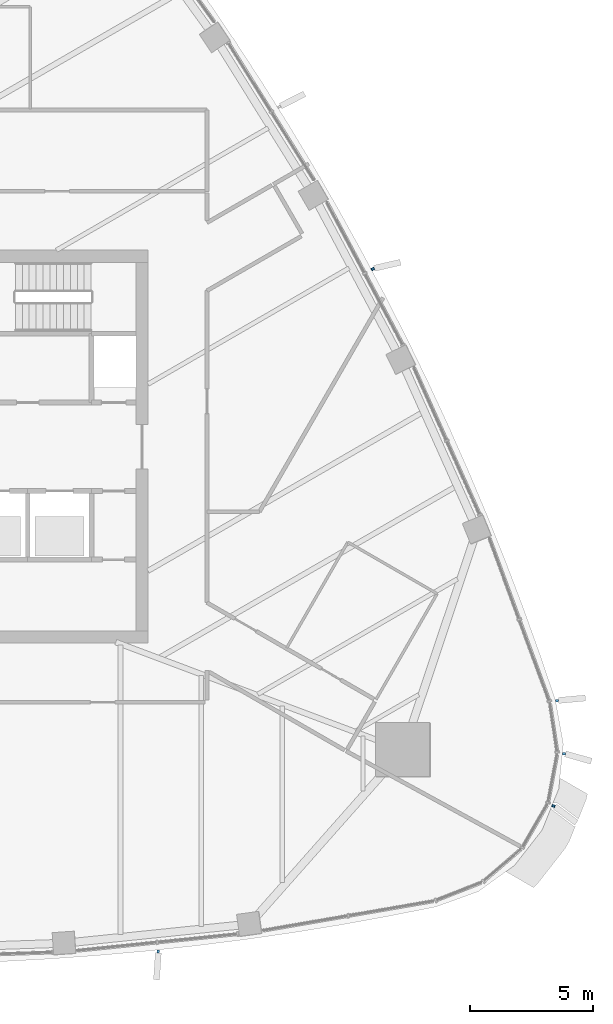
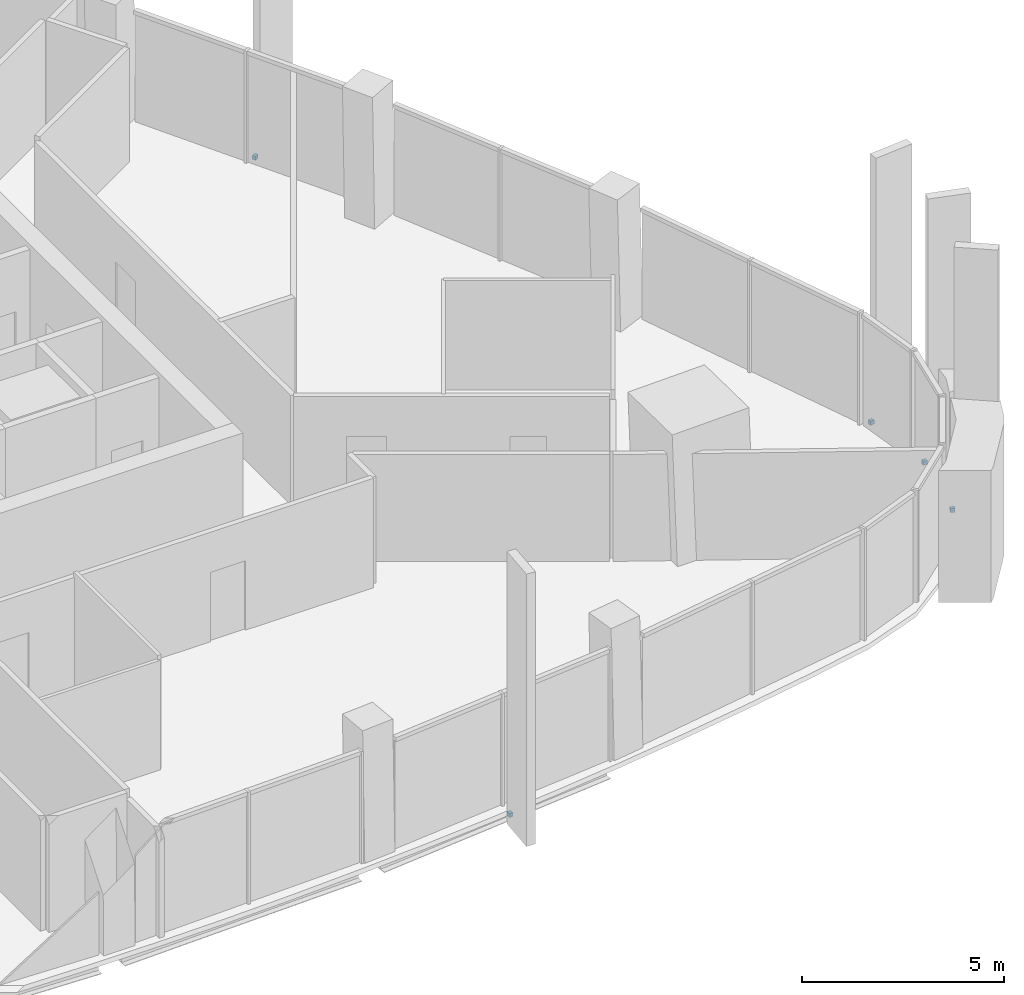
# One storey, part 13 of 18: 5 discrete accessories.
"""IFC4 building model written with IfcOpenShell, lengths in metres."""

from ifc_helpers import new_model, si_unit, direction, frame, origin, origin_2d, place, context, subcontext, project, spatial, rectangle, extrude, material, type_object, element, save


model = new_model("IFC4")

# Units and contexts
model_context = context("Model", 3, precision=1e-05, world=origin(), true_north=direction((0.0, 1.0)))
body_context = subcontext(model_context, "Body", "Model", "MODEL_VIEW")
ifc_project = project(units=[si_unit("LENGTHUNIT", "METRE"), si_unit("AREAUNIT", "SQUARE_METRE"), si_unit("VOLUMEUNIT", "CUBIC_METRE"), si_unit("PLANEANGLEUNIT", "RADIAN"), si_unit("MASSUNIT", "GRAM", prefix="KILO")], contexts=[model_context])

# Site, building, storey
site_placement = place(None, origin())
site = spatial("IfcSite", under=ifc_project, at=site_placement, CompositionType="ELEMENT")
building_placement = place(site_placement, origin())
building = spatial("IfcBuilding", under=site, at=building_placement, Name="Sierra Prisma Convention Tower", CompositionType="ELEMENT")
storey_placement = place(building_placement, frame((0.0, 0.0, 263.0)))
storey = spatial("IfcBuildingStorey", under=building, at=storey_placement, Name="L59", CompositionType="ELEMENT", Elevation=263.0)

# Discrete accessories
ifc_material = material(Name="Stainless steel 316", Category="steel")
discrete_accessory_type = type_object("IfcDiscreteAccessoryType", Name="Fin bracket", PredefinedType="BRACKET", material=ifc_material)
for number, where, z_axis, x_axis, name in (
    (1, (11.410888671875, -20.548095703125, -0.135009765625), (0.0, 0.0, 1.0), (0.10704163501, -0.994254539026, 0.0), "Fin bracket L59.14 base"),
    (2, (27.50390625, -14.62744140625, -0.135009765625), (0.0, 0.0, 1.0), (0.927426065383, -0.374006541718, 0.0), "Fin bracket L59.21 base"),
    (3, (27.930419921875, -12.499755859375, -0.135009765625), (0.0, 0.0, 1.0), (0.994722939901, -0.102597625871, 0.0), "Fin bracket L59.22 base"),
    (4, (27.6533203125, -10.34228515625, -0.135009765625), (0.0, 0.0, 1.0), (0.984240767634, 0.17683356957, 0.0), "Fin bracket L59.23 base"),
    (5, (20.150634765625, 7.2333984375, -0.135009765625), (0.0, 0.0, 1.0), (0.883342786335, 0.468727556082, 0.0), "Fin bracket L59.30 base"),
):
    element("IfcDiscreteAccessory", number, at=place(storey_placement, frame(where, z_axis=z_axis, x_axis=x_axis)), inside=storey, type_object=discrete_accessory_type, Name=name, PredefinedType="BRACKET", context=body_context, shape_type="SweptSolid", body=[
        extrude(rectangle(XDim=0.1201171875, YDim=0.10009765625, at=origin_2d()), origin(), (0.0, 0.0, 1.0), 0.1201171875),
    ])

save(model, "model.ifc")
